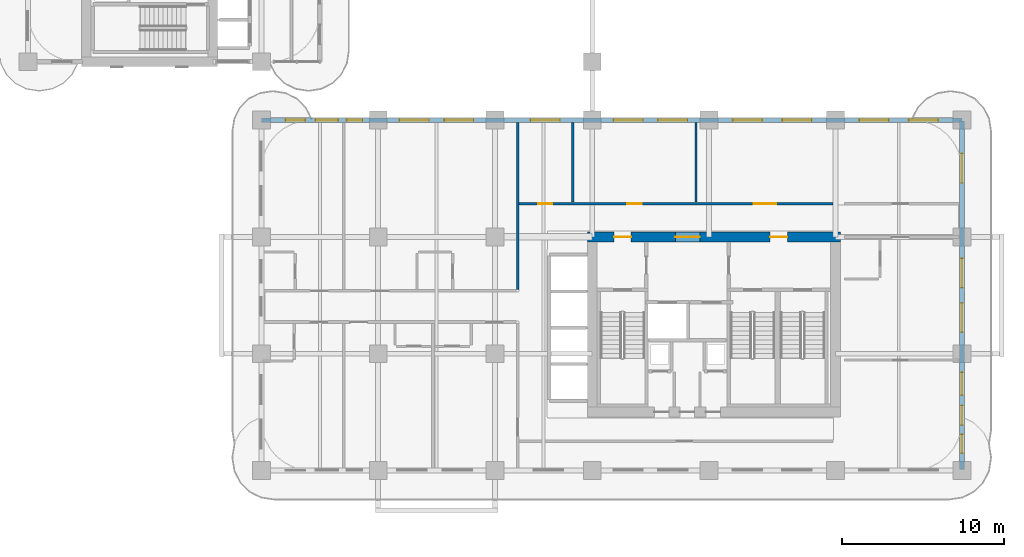
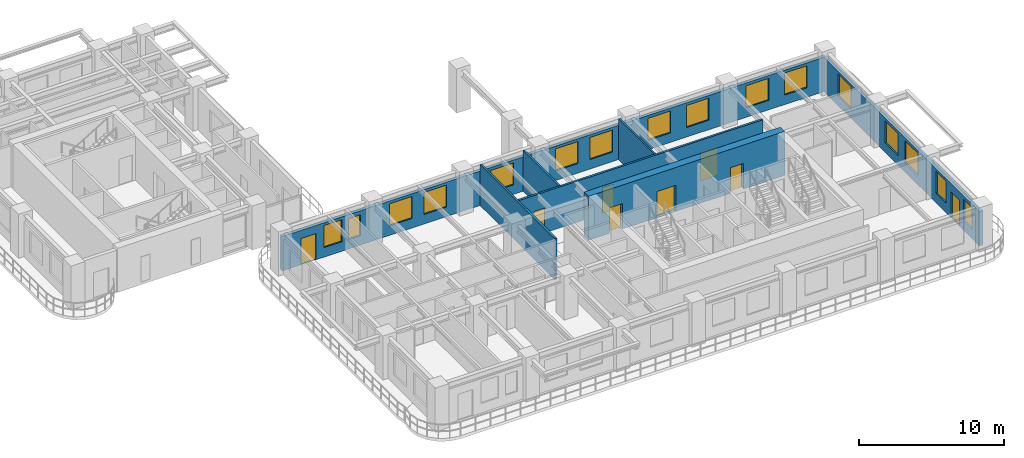
# One storey, part 9 of 18: 16 windows, 8 doors, 7 walls, 24 openings.
"""IFC4 building model written with IfcOpenShell, lengths in metres."""

from ifc_helpers import new_model, si_unit, derived_unit, direction, frame, frame_2d, origin, place, context, subcontext, project, spatial, rectangle, extrude, source, transform, mapped, material, layer, layer_set, type_object, type_shapes, element, fill, save


model = new_model("IFC4")

# Units and contexts
model_context = context("Model", 3, precision=1e-05, world=origin(), true_north=direction((0.0, 1.0)))
body_context = subcontext(model_context, "Body", "Model", "MODEL_VIEW")
ifc_project = project(units=[si_unit("LENGTHUNIT", "METRE"), si_unit("AREAUNIT", "SQUARE_METRE"), si_unit("VOLUMEUNIT", "CUBIC_METRE"), si_unit("PLANEANGLEUNIT", "RADIAN"), si_unit("MASSUNIT", "GRAM", prefix="KILO"), si_unit("THERMODYNAMICTEMPERATUREUNIT", "KELVIN"), si_unit("POWERUNIT", "WATT"), derived_unit("THERMALTRANSMITTANCEUNIT", [(si_unit("POWERUNIT", "WATT"), 1), (si_unit("AREAUNIT", "SQUARE_METRE"), -1), (si_unit("THERMODYNAMICTEMPERATUREUNIT", "KELVIN"), -1)])], contexts=[model_context])

# Site, building, storey
site_placement = place(None, origin())
site = spatial("IfcSite", under=ifc_project, at=site_placement, CompositionType="ELEMENT")
building_placement = place(site_placement, origin())
building = spatial("IfcBuilding", under=site, at=building_placement, Name="Zahravan Archway Hotel and Residences", CompositionType="ELEMENT")
storey_placement = place(building_placement, frame((0.0, 0.0, 36.10009765625)))
storey = spatial("IfcBuildingStorey", under=building, at=storey_placement, Name="L07", CompositionType="ELEMENT", Elevation=36.10009765625)

# Wall, openings, doors
ifc_material_1 = material(Name="Concrete C70/85", Category="concrete")
ifc_layer_1 = layer(ifc_material_1, 0.60009765625, Name="Concrete C70/85", Category="concrete")
ifc_layer_set_1 = layer_set([ifc_layer_1], Name="Concrete C70/85")
wall_type_1 = type_object("IfcWallType", Name="CW-CORE-600", PredefinedType="SHEAR", material=ifc_layer_set_1)
wall_1_placement = place(storey_placement, frame((34.5, 14.39990234375, 0.0), z_axis=(0.0, 0.0, 1.0), x_axis=(1.0, 0.0, 0.0)))
wall_1 = element("IfcWall", 1, at=wall_1_placement, inside=storey, type_object=wall_type_1, Name="L07 Core A Shear N Wall 600 mm", PredefinedType="SHEAR", context=body_context, shape_type="SweptSolid", body=[
    extrude(rectangle(XDim=15.60009765625, YDim=0.60009765625, at=frame_2d((7.800048828125, 0.0))), origin(), (0.0, 0.0, 1.0), 3.699951171875),
])
opening_1_placement = place(wall_1_placement, frame((5.429931640625, 0.0, 0.0)))
opening_1 = element("IfcOpeningElement", 2, at=opening_1_placement, cuts=wall_1, Name="Opening FD-L1", PredefinedType="OPENING", context=body_context, shape_type="SweptSolid", body=[
    extrude(rectangle(XDim=1.5, YDim=2.199951171875, at=frame_2d((0.75, 1.10009765625))), frame((0.0, 0.31005859375, 0.0), z_axis=(0.0, -1.0, 0.0), x_axis=(1.0, 0.0, 0.0)), (0.0, 0.0, 1.0), 0.6201171875),
])
opening_2_placement = place(wall_1_placement, frame((1.64501953125, 0.0, 0.0)))
opening_2 = element("IfcOpeningElement", 3, at=opening_2_placement, cuts=wall_1, Name="Opening FD-L2", PredefinedType="OPENING", context=body_context, shape_type="SweptSolid", body=[
    extrude(rectangle(XDim=1.050048828125, YDim=2.14990234375, at=frame_2d((0.52490234375, 1.074951171875))), frame((0.0, 0.31005859375, 0.0), z_axis=(0.0, -1.0, 0.0), x_axis=(1.0, 0.0, 0.0)), (0.0, 0.0, 1.0), 0.6201171875),
])
opening_3_placement = place(wall_1_placement, frame((11.27490234375, 0.0, 0.0)))
opening_3 = element("IfcOpeningElement", 4, at=opening_3_placement, cuts=wall_1, Name="Opening FD-L2", PredefinedType="OPENING", context=body_context, shape_type="SweptSolid", body=[
    extrude(rectangle(XDim=1.050048828125, YDim=2.14990234375, at=frame_2d((0.52490234375, 1.074951171875))), frame((0.0, 0.31005859375, 0.0), z_axis=(0.0, -1.0, 0.0), x_axis=(1.0, 0.0, 0.0)), (0.0, 0.0, 1.0), 0.6201171875),
])
ifc_material_2 = material(Name="Fire-Rated Painted Steel", Category="steel")
door_type_1 = type_object("IfcDoorType", Name="FD-LOBBY-1100", OperationType="NOTDEFINED", PredefinedType="DOOR", material=ifc_material_2)
shared_shape_1 = source(origin(), body_context, "Body", "SweptSolid", [
    extrude(rectangle(XDim=1.050048828125, YDim=2.14990234375, at=frame_2d((0.52490234375, 1.074951171875))), frame((0.0, 0.02490234375, 0.0), z_axis=(0.0, -1.0, 0.0), x_axis=(1.0, 0.0, 0.0)), (0.0, 0.0, 1.0), 0.050048828125),
])
type_shapes(door_type_1, [shared_shape_1])
door_1_placement = place(opening_2_placement, origin())
door_1 = element("IfcDoor", 5, at=door_1_placement, inside=storey, type_object=door_type_1, Name="L07 Core A West Stair Lobby Door", OperationType="SINGLE_SWING_LEFT", OverallHeight=2.14990234375, OverallWidth=1.050048828125, PredefinedType="DOOR", context=body_context, shape_type="MappedRepresentation", body=[
    mapped(shared_shape_1, transform((0.0, 0.0, 0.0), scale=1.0)),
])
fill(opening_2, door_1)
door_2_placement = place(opening_3_placement, origin())
door_2 = element("IfcDoor", 6, at=door_2_placement, inside=storey, type_object=door_type_1, Name="L07 Core A East Stair Lobby Door", OperationType="SINGLE_SWING_RIGHT", OverallHeight=2.14990234375, OverallWidth=1.050048828125, PredefinedType="DOOR", context=body_context, shape_type="MappedRepresentation", body=[
    mapped(shared_shape_1, transform((0.0, 0.0, 0.0), scale=1.0)),
])
fill(opening_3, door_2)
door_type_2 = type_object("IfcDoorType", Name="FD-LOBBY-1500", OperationType="DOUBLE_DOOR_SINGLE_SWING", PredefinedType="DOOR", material=ifc_material_2)
shared_shape_2 = source(origin(), body_context, "Body", "SweptSolid", [
    extrude(rectangle(XDim=1.5, YDim=2.199951171875, at=frame_2d((0.75, 1.10009765625))), frame((0.0, 0.02490234375, 0.0), z_axis=(0.0, -1.0, 0.0), x_axis=(1.0, 0.0, 0.0)), (0.0, 0.0, 1.0), 0.050048828125),
])
type_shapes(door_type_2, [shared_shape_2])
door_3_placement = place(opening_1_placement, origin())
door_3 = element("IfcDoor", 7, at=door_3_placement, inside=storey, type_object=door_type_2, Name="L07 Core A FSAE Lobby Main Door", OperationType="DOUBLE_DOOR_SINGLE_SWING", OverallHeight=2.199951171875, OverallWidth=1.5, PredefinedType="DOOR", context=body_context, shape_type="MappedRepresentation", body=[
    mapped(shared_shape_2, transform((0.0, 0.0, 0.0), scale=1.0)),
])
fill(opening_1, door_3)

# Wall, openings, door, windows
ifc_material_3 = material(Name="Honed Red-Ochre Sandstone & Insulated Block", Category="masonry")
ifc_layer_2 = layer(ifc_material_3, 0.280029296875, Name="Honed Red-Ochre Sandstone & Insulated Block", Category="masonry")
ifc_layer_set_2 = layer_set([ifc_layer_2], Name="Honed Red-Ochre Sandstone & Insulated Block")
wall_type_2 = type_object("IfcWallType", Name="EW-LOG-280", PredefinedType="SOLIDWALL", material=ifc_layer_set_2)
wall_2_placement = place(storey_placement, frame((57.60009765625, 0.050048828125, 0.0), z_axis=(0.0, 0.0, 1.0), x_axis=(0.0, 1.0, 0.0)))
wall_2 = element("IfcWall", 8, at=wall_2_placement, inside=storey, type_object=wall_type_2, Name="L07 Exterior Sandstone Wall WA-E", PredefinedType="SOLIDWALL", context=body_context, shape_type="SweptSolid", body=[
    extrude(rectangle(XDim=21.5, YDim=0.280029296875, at=frame_2d((10.75, 0.0))), origin(), (0.0, 0.0, 1.0), 2.885009765625),
])
opening_4_placement = place(wall_2_placement, frame((2.75, 0.0, 0.0)))
opening_4 = element("IfcOpeningElement", 9, at=opening_4_placement, cuts=wall_2, Name="Opening ED-BL1", PredefinedType="OPENING", context=body_context, shape_type="SweptSolid", body=[
    extrude(rectangle(XDim=1.199951171875, YDim=2.199951171875, at=frame_2d((0.60009765625, 1.10009765625))), frame((0.0, 0.14990234375, 0.0), z_axis=(0.0, -1.0, 0.0), x_axis=(1.0, 0.0, 0.0)), (0.0, 0.0, 1.0), 0.300048828125),
])
opening_5_placement = place(wall_2_placement, frame((1.02490234375, 0.0, 0.800048828125)))
opening_5 = element("IfcOpeningElement", 10, at=opening_5_placement, cuts=wall_2, Name="Opening W-05", PredefinedType="OPENING", context=body_context, shape_type="SweptSolid", body=[
    extrude(rectangle(XDim=1.14990234375, YDim=1.800048828125, at=frame_2d((0.574951171875, 0.89990234375))), frame((0.0, 0.14990234375, 0.0), z_axis=(0.0, -1.0, 0.0), x_axis=(1.0, 0.0, 0.0)), (0.0, 0.0, 1.0), 0.300048828125),
])
opening_6_placement = place(wall_2_placement, frame((4.60009765625, 0.0, 0.800048828125)))
opening_6 = element("IfcOpeningElement", 11, at=opening_6_placement, cuts=wall_2, Name="Opening W-03", PredefinedType="OPENING", context=body_context, shape_type="SweptSolid", body=[
    extrude(rectangle(XDim=1.39990234375, YDim=1.85009765625, at=frame_2d((0.699951171875, 0.925048828125))), frame((0.0, 0.14990234375, 0.0), z_axis=(0.0, -1.0, 0.0), x_axis=(1.0, 0.0, 0.0)), (0.0, 0.0, 1.0), 0.300048828125),
])
opening_7_placement = place(wall_2_placement, frame((8.47509765625, 0.0, 0.800048828125)))
opening_7 = element("IfcOpeningElement", 12, at=opening_7_placement, cuts=wall_2, Name="Opening W-02", PredefinedType="OPENING", context=body_context, shape_type="SweptSolid", body=[
    extrude(rectangle(XDim=1.800048828125, YDim=1.85009765625, at=frame_2d((0.89990234375, 0.925048828125))), frame((0.0, 0.14990234375, 0.0), z_axis=(0.0, -1.0, 0.0), x_axis=(1.0, 0.0, 0.0)), (0.0, 0.0, 1.0), 0.300048828125),
])
opening_8_placement = place(wall_2_placement, frame((11.22509765625, 0.0, 0.800048828125)))
opening_8 = element("IfcOpeningElement", 13, at=opening_8_placement, cuts=wall_2, Name="Opening W-02", PredefinedType="OPENING", context=body_context, shape_type="SweptSolid", body=[
    extrude(rectangle(XDim=1.800048828125, YDim=1.85009765625, at=frame_2d((0.89990234375, 0.925048828125))), frame((0.0, 0.14990234375, 0.0), z_axis=(0.0, -1.0, 0.0), x_axis=(1.0, 0.0, 0.0)), (0.0, 0.0, 1.0), 0.300048828125),
])
opening_9_placement = place(wall_2_placement, frame((17.678955078125, 0.0, 0.800048828125)))
opening_9 = element("IfcOpeningElement", 14, at=opening_9_placement, cuts=wall_2, Name="Opening W-02", PredefinedType="OPENING", context=body_context, shape_type="SweptSolid", body=[
    extrude(rectangle(XDim=1.800048828125, YDim=1.85009765625, at=frame_2d((0.89990234375, 0.925048828125))), frame((0.0, 0.14990234375, 0.0), z_axis=(0.0, -1.0, 0.0), x_axis=(1.0, 0.0, 0.0)), (0.0, 0.0, 1.0), 0.300048828125),
])
ifc_material_4 = material(Name="Bronze-Anodized Glazed Aluminium", Category="aluminium")
door_type_3 = type_object("IfcDoorType", Name="ED-BALC-1200", OperationType="SLIDING_TO_LEFT", PredefinedType="DOOR", material=ifc_material_4)
shared_shape_3 = source(origin(), body_context, "Body", "SweptSolid", [
    extrude(rectangle(XDim=1.199951171875, YDim=2.199951171875, at=frame_2d((0.60009765625, 1.10009765625))), frame((0.0, 0.02490234375, 0.0), z_axis=(0.0, -1.0, 0.0), x_axis=(1.0, 0.0, 0.0)), (0.0, 0.0, 1.0), 0.050048828125),
])
type_shapes(door_type_3, [shared_shape_3])
door_4_placement = place(opening_4_placement, origin())
door_4 = element("IfcDoor", 15, at=door_4_placement, inside=storey, type_object=door_type_3, Name="L07 Outdoor Access Sliding Door (SLB-BAL-L07-EA)", OperationType="SLIDING_TO_LEFT", OverallHeight=2.199951171875, OverallWidth=1.199951171875, PredefinedType="DOOR", context=body_context, shape_type="MappedRepresentation", body=[
    mapped(shared_shape_3, transform((0.0, 0.0, 0.0), scale=1.0)),
])
fill(opening_4, door_4)
ifc_material_5 = material(Name="Bronze-Anodized Thermal-Break Aluminium & Low-E Glass", Category="aluminium")
window_type_1 = type_object("IfcWindowType", Name="WIN-TWR-1400", PartitioningType="SINGLE_PANEL", PredefinedType="WINDOW", material=ifc_material_5)
shared_shape_4 = source(origin(), body_context, "Body", "SweptSolid", [
    extrude(rectangle(XDim=1.39990234375, YDim=1.85009765625, at=frame_2d((0.699951171875, 0.925048828125))), frame((0.0, 0.030029296875, 0.0), z_axis=(0.0, -1.0, 0.0), x_axis=(1.0, 0.0, 0.0)), (0.0, 0.0, 1.0), 0.06005859375),
])
type_shapes(window_type_1, [shared_shape_4])
window_1_placement = place(opening_6_placement, origin())
window_1 = element("IfcWindow", 16, at=window_1_placement, inside=storey, type_object=window_type_1, Name="L07 Loggia Window 13", OverallHeight=1.85009765625, OverallWidth=1.39990234375, PartitioningType="SINGLE_PANEL", PredefinedType="WINDOW", context=body_context, shape_type="MappedRepresentation", body=[
    mapped(shared_shape_4, transform((0.0, 0.0, 0.0), scale=1.0)),
])
fill(opening_6, window_1)
window_type_2 = type_object("IfcWindowType", Name="WIN-TWR-1800", PartitioningType="DOUBLE_PANEL_VERTICAL", PredefinedType="WINDOW", material=ifc_material_5)
shared_shape_5 = source(origin(), body_context, "Body", "SweptSolid", [
    extrude(rectangle(XDim=1.800048828125, YDim=1.85009765625, at=frame_2d((0.89990234375, 0.925048828125))), frame((0.0, 0.030029296875, 0.0), z_axis=(0.0, -1.0, 0.0), x_axis=(1.0, 0.0, 0.0)), (0.0, 0.0, 1.0), 0.06005859375),
])
type_shapes(window_type_2, [shared_shape_5])
window_2_placement = place(opening_7_placement, origin())
window_2 = element("IfcWindow", 17, at=window_2_placement, inside=storey, type_object=window_type_2, Name="L07 Loggia Window 14", OverallHeight=1.85009765625, OverallWidth=1.800048828125, PartitioningType="DOUBLE_PANEL_VERTICAL", PredefinedType="WINDOW", context=body_context, shape_type="MappedRepresentation", body=[
    mapped(shared_shape_5, transform((0.0, 0.0, 0.0), scale=1.0)),
])
fill(opening_7, window_2)
window_3_placement = place(opening_8_placement, origin())
window_3 = element("IfcWindow", 18, at=window_3_placement, inside=storey, type_object=window_type_2, Name="L07 Loggia Window 15", OverallHeight=1.85009765625, OverallWidth=1.800048828125, PartitioningType="DOUBLE_PANEL_VERTICAL", PredefinedType="WINDOW", context=body_context, shape_type="MappedRepresentation", body=[
    mapped(shared_shape_5, transform((0.0, 0.0, 0.0), scale=1.0)),
])
fill(opening_8, window_3)
window_4_placement = place(opening_9_placement, origin())
window_4 = element("IfcWindow", 19, at=window_4_placement, inside=storey, type_object=window_type_2, Name="L07 Loggia Window 16", OverallHeight=1.85009765625, OverallWidth=1.800048828125, PartitioningType="DOUBLE_PANEL_VERTICAL", PredefinedType="WINDOW", context=body_context, shape_type="MappedRepresentation", body=[
    mapped(shared_shape_5, transform((0.0, 0.0, 0.0), scale=1.0)),
])
fill(opening_9, window_4)
window_type_3 = type_object("IfcWindowType", Name="WIN-TWR-1150", PartitioningType="SINGLE_PANEL", PredefinedType="WINDOW", material=ifc_material_5)
shared_shape_6 = source(origin(), body_context, "Body", "SweptSolid", [
    extrude(rectangle(XDim=1.14990234375, YDim=1.800048828125, at=frame_2d((0.574951171875, 0.89990234375))), frame((0.0, 0.030029296875, 0.0), z_axis=(0.0, -1.0, 0.0), x_axis=(1.0, 0.0, 0.0)), (0.0, 0.0, 1.0), 0.06005859375),
])
type_shapes(window_type_3, [shared_shape_6])
window_5_placement = place(opening_5_placement, origin())
window_5 = element("IfcWindow", 20, at=window_5_placement, inside=storey, type_object=window_type_3, Name="L07 Loggia Window 12", OverallHeight=1.800048828125, OverallWidth=1.14990234375, PartitioningType="SINGLE_PANEL", PredefinedType="WINDOW", context=body_context, shape_type="MappedRepresentation", body=[
    mapped(shared_shape_6, transform((0.0, 0.0, 0.0), scale=1.0)),
])
fill(opening_5, window_5)

wall_3_placement = place(storey_placement, frame((14.39990234375, 21.60009765625, 0.0), z_axis=(0.0, 0.0, 1.0), x_axis=(1.0, 0.0, 0.0)))
wall_3 = element("IfcWall", 21, at=wall_3_placement, inside=storey, type_object=wall_type_2, Name="L07 Exterior Sandstone Wall WA-NE", PredefinedType="SOLIDWALL", context=body_context, shape_type="SweptSolid", body=[
    extrude(rectangle(XDim=43.2001953125, YDim=0.280029296875, at=frame_2d((21.60009765625, 0.0))), origin(), (0.0, 0.0, 1.0), 2.885009765625),
])
opening_10_placement = place(wall_3_placement, frame((1.5, 0.0, 0.0)))
opening_10 = element("IfcOpeningElement", 22, at=opening_10_placement, cuts=wall_3, Name="Opening ED-BL1", PredefinedType="OPENING", context=body_context, shape_type="SweptSolid", body=[
    extrude(rectangle(XDim=1.199951171875, YDim=2.199951171875, at=frame_2d((0.60009765625, 1.10009765625))), frame((0.0, 0.14990234375, 0.0), z_axis=(0.0, -1.0, 0.0), x_axis=(1.0, 0.0, 0.0)), (0.0, 0.0, 1.0), 0.300048828125),
])
opening_11_placement = place(wall_3_placement, frame((3.3359375, 0.0, 0.800048828125)))
opening_11 = element("IfcOpeningElement", 23, at=opening_11_placement, cuts=wall_3, Name="Opening W-03", PredefinedType="OPENING", context=body_context, shape_type="SweptSolid", body=[
    extrude(rectangle(XDim=1.39990234375, YDim=1.85009765625, at=frame_2d((0.699951171875, 0.925048828125))), frame((0.0, 0.14990234375, 0.0), z_axis=(0.0, -1.0, 0.0), x_axis=(1.0, 0.0, 0.0)), (0.0, 0.0, 1.0), 0.300048828125),
])
opening_12_placement = place(wall_3_placement, frame((5.26904296875, 0.0, 0.800048828125)))
opening_12 = element("IfcOpeningElement", 24, at=opening_12_placement, cuts=wall_3, Name="Opening W-04", PredefinedType="OPENING", context=body_context, shape_type="SweptSolid", body=[
    extrude(rectangle(XDim=0.949951171875, YDim=1.75, at=frame_2d((0.47509765625, 0.875))), frame((0.0, 0.14990234375, 0.0), z_axis=(0.0, -1.0, 0.0), x_axis=(1.0, 0.0, 0.0)), (0.0, 0.0, 1.0), 0.300048828125),
])
opening_13_placement = place(wall_3_placement, frame((8.52490234375, 0.0, 0.800048828125)))
opening_13 = element("IfcOpeningElement", 25, at=opening_13_placement, cuts=wall_3, Name="Opening W-02", PredefinedType="OPENING", context=body_context, shape_type="SweptSolid", body=[
    extrude(rectangle(XDim=1.800048828125, YDim=1.85009765625, at=frame_2d((0.89990234375, 0.925048828125))), frame((0.0, 0.14990234375, 0.0), z_axis=(0.0, -1.0, 0.0), x_axis=(1.0, 0.0, 0.0)), (0.0, 0.0, 1.0), 0.300048828125),
])
opening_14_placement = place(wall_3_placement, frame((11.27490234375, 0.0, 0.800048828125)))
opening_14 = element("IfcOpeningElement", 26, at=opening_14_placement, cuts=wall_3, Name="Opening W-02", PredefinedType="OPENING", context=body_context, shape_type="SweptSolid", body=[
    extrude(rectangle(XDim=1.800048828125, YDim=1.85009765625, at=frame_2d((0.89990234375, 0.925048828125))), frame((0.0, 0.14990234375, 0.0), z_axis=(0.0, -1.0, 0.0), x_axis=(1.0, 0.0, 0.0)), (0.0, 0.0, 1.0), 0.300048828125),
])
opening_15_placement = place(wall_3_placement, frame((16.60107421875, 0.0, 0.800048828125)))
opening_15 = element("IfcOpeningElement", 27, at=opening_15_placement, cuts=wall_3, Name="Opening W-02", PredefinedType="OPENING", context=body_context, shape_type="SweptSolid", body=[
    extrude(rectangle(XDim=1.800048828125, YDim=1.85009765625, at=frame_2d((0.89990234375, 0.925048828125))), frame((0.0, 0.14990234375, 0.0), z_axis=(0.0, -1.0, 0.0), x_axis=(1.0, 0.0, 0.0)), (0.0, 0.0, 1.0), 0.300048828125),
])
opening_16_placement = place(wall_3_placement, frame((21.722900390625, 0.0, 0.800048828125)))
opening_16 = element("IfcOpeningElement", 28, at=opening_16_placement, cuts=wall_3, Name="Opening W-02", PredefinedType="OPENING", context=body_context, shape_type="SweptSolid", body=[
    extrude(rectangle(XDim=1.800048828125, YDim=1.85009765625, at=frame_2d((0.89990234375, 0.925048828125))), frame((0.0, 0.14990234375, 0.0), z_axis=(0.0, -1.0, 0.0), x_axis=(1.0, 0.0, 0.0)), (0.0, 0.0, 1.0), 0.300048828125),
])
opening_17_placement = place(wall_3_placement, frame((24.468994140625, 0.0, 0.800048828125)))
opening_17 = element("IfcOpeningElement", 29, at=opening_17_placement, cuts=wall_3, Name="Opening W-02", PredefinedType="OPENING", context=body_context, shape_type="SweptSolid", body=[
    extrude(rectangle(XDim=1.800048828125, YDim=1.85009765625, at=frame_2d((0.89990234375, 0.925048828125))), frame((0.0, 0.14990234375, 0.0), z_axis=(0.0, -1.0, 0.0), x_axis=(1.0, 0.0, 0.0)), (0.0, 0.0, 1.0), 0.300048828125),
])
opening_18_placement = place(wall_3_placement, frame((29.074951171875, 0.0, 0.800048828125)))
opening_18 = element("IfcOpeningElement", 30, at=opening_18_placement, cuts=wall_3, Name="Opening W-02", PredefinedType="OPENING", context=body_context, shape_type="SweptSolid", body=[
    extrude(rectangle(XDim=1.800048828125, YDim=1.85009765625, at=frame_2d((0.89990234375, 0.925048828125))), frame((0.0, 0.14990234375, 0.0), z_axis=(0.0, -1.0, 0.0), x_axis=(1.0, 0.0, 0.0)), (0.0, 0.0, 1.0), 0.300048828125),
])
opening_19_placement = place(wall_3_placement, frame((32.125, 0.0, 0.800048828125)))
opening_19 = element("IfcOpeningElement", 31, at=opening_19_placement, cuts=wall_3, Name="Opening W-02", PredefinedType="OPENING", context=body_context, shape_type="SweptSolid", body=[
    extrude(rectangle(XDim=1.800048828125, YDim=1.85009765625, at=frame_2d((0.89990234375, 0.925048828125))), frame((0.0, 0.14990234375, 0.0), z_axis=(0.0, -1.0, 0.0), x_axis=(1.0, 0.0, 0.0)), (0.0, 0.0, 1.0), 0.300048828125),
])
opening_20_placement = place(wall_3_placement, frame((36.875, 0.0, 0.800048828125)))
opening_20 = element("IfcOpeningElement", 32, at=opening_20_placement, cuts=wall_3, Name="Opening W-02", PredefinedType="OPENING", context=body_context, shape_type="SweptSolid", body=[
    extrude(rectangle(XDim=1.800048828125, YDim=1.85009765625, at=frame_2d((0.89990234375, 0.925048828125))), frame((0.0, 0.14990234375, 0.0), z_axis=(0.0, -1.0, 0.0), x_axis=(1.0, 0.0, 0.0)), (0.0, 0.0, 1.0), 0.300048828125),
])
opening_21_placement = place(wall_3_placement, frame((39.925048828125, 0.0, 0.800048828125)))
opening_21 = element("IfcOpeningElement", 33, at=opening_21_placement, cuts=wall_3, Name="Opening W-02", PredefinedType="OPENING", context=body_context, shape_type="SweptSolid", body=[
    extrude(rectangle(XDim=1.800048828125, YDim=1.85009765625, at=frame_2d((0.89990234375, 0.925048828125))), frame((0.0, 0.14990234375, 0.0), z_axis=(0.0, -1.0, 0.0), x_axis=(1.0, 0.0, 0.0)), (0.0, 0.0, 1.0), 0.300048828125),
])
door_5_placement = place(opening_10_placement, origin())
door_5 = element("IfcDoor", 34, at=door_5_placement, inside=storey, type_object=door_type_3, Name="L07 Outdoor Access Sliding Door (SLB-BAL-L07-WA)", OperationType="SLIDING_TO_LEFT", OverallHeight=2.199951171875, OverallWidth=1.199951171875, PredefinedType="DOOR", context=body_context, shape_type="MappedRepresentation", body=[
    mapped(shared_shape_3, transform((0.0, 0.0, 0.0), scale=1.0)),
])
fill(opening_10, door_5)
window_6_placement = place(opening_11_placement, origin())
window_6 = element("IfcWindow", 35, at=window_6_placement, inside=storey, type_object=window_type_1, Name="L07 Loggia Window 17", OverallHeight=1.85009765625, OverallWidth=1.39990234375, PartitioningType="SINGLE_PANEL", PredefinedType="WINDOW", context=body_context, shape_type="MappedRepresentation", body=[
    mapped(shared_shape_4, transform((0.0, 0.0, 0.0), scale=1.0)),
])
fill(opening_11, window_6)
window_type_4 = type_object("IfcWindowType", Name="WIN-NAR-950", PartitioningType="SINGLE_PANEL", PredefinedType="WINDOW", material=ifc_material_5)
shared_shape_7 = source(origin(), body_context, "Body", "SweptSolid", [
    extrude(rectangle(XDim=0.949951171875, YDim=1.75, at=frame_2d((0.47509765625, 0.875))), frame((0.0, 0.030029296875, 0.0), z_axis=(0.0, -1.0, 0.0), x_axis=(1.0, 0.0, 0.0)), (0.0, 0.0, 1.0), 0.06005859375),
])
type_shapes(window_type_4, [shared_shape_7])
window_7_placement = place(opening_12_placement, origin())
window_7 = element("IfcWindow", 36, at=window_7_placement, inside=storey, type_object=window_type_4, Name="L07 Loggia Window 18", OverallHeight=1.75, OverallWidth=0.949951171875, PartitioningType="SINGLE_PANEL", PredefinedType="WINDOW", context=body_context, shape_type="MappedRepresentation", body=[
    mapped(shared_shape_7, transform((0.0, 0.0, 0.0), scale=1.0)),
])
fill(opening_12, window_7)
window_8_placement = place(opening_13_placement, origin())
window_8 = element("IfcWindow", 37, at=window_8_placement, inside=storey, type_object=window_type_2, Name="L07 Loggia Window 19", OverallHeight=1.85009765625, OverallWidth=1.800048828125, PartitioningType="DOUBLE_PANEL_VERTICAL", PredefinedType="WINDOW", context=body_context, shape_type="MappedRepresentation", body=[
    mapped(shared_shape_5, transform((0.0, 0.0, 0.0), scale=1.0)),
])
fill(opening_13, window_8)
window_9_placement = place(opening_14_placement, origin())
window_9 = element("IfcWindow", 38, at=window_9_placement, inside=storey, type_object=window_type_2, Name="L07 Loggia Window 20", OverallHeight=1.85009765625, OverallWidth=1.800048828125, PartitioningType="DOUBLE_PANEL_VERTICAL", PredefinedType="WINDOW", context=body_context, shape_type="MappedRepresentation", body=[
    mapped(shared_shape_5, transform((0.0, 0.0, 0.0), scale=1.0)),
])
fill(opening_14, window_9)
window_10_placement = place(opening_15_placement, origin())
window_10 = element("IfcWindow", 39, at=window_10_placement, inside=storey, type_object=window_type_2, Name="L07 Loggia Window 21", OverallHeight=1.85009765625, OverallWidth=1.800048828125, PartitioningType="DOUBLE_PANEL_VERTICAL", PredefinedType="WINDOW", context=body_context, shape_type="MappedRepresentation", body=[
    mapped(shared_shape_5, transform((0.0, 0.0, 0.0), scale=1.0)),
])
fill(opening_15, window_10)
window_11_placement = place(opening_16_placement, origin())
window_11 = element("IfcWindow", 40, at=window_11_placement, inside=storey, type_object=window_type_2, Name="L07 Loggia Window 22", OverallHeight=1.85009765625, OverallWidth=1.800048828125, PartitioningType="DOUBLE_PANEL_VERTICAL", PredefinedType="WINDOW", context=body_context, shape_type="MappedRepresentation", body=[
    mapped(shared_shape_5, transform((0.0, 0.0, 0.0), scale=1.0)),
])
fill(opening_16, window_11)
window_12_placement = place(opening_17_placement, origin())
window_12 = element("IfcWindow", 41, at=window_12_placement, inside=storey, type_object=window_type_2, Name="L07 Loggia Window 23", OverallHeight=1.85009765625, OverallWidth=1.800048828125, PartitioningType="DOUBLE_PANEL_VERTICAL", PredefinedType="WINDOW", context=body_context, shape_type="MappedRepresentation", body=[
    mapped(shared_shape_5, transform((0.0, 0.0, 0.0), scale=1.0)),
])
fill(opening_17, window_12)
window_13_placement = place(opening_18_placement, origin())
window_13 = element("IfcWindow", 42, at=window_13_placement, inside=storey, type_object=window_type_2, Name="L07 Loggia Window 24", OverallHeight=1.85009765625, OverallWidth=1.800048828125, PartitioningType="DOUBLE_PANEL_VERTICAL", PredefinedType="WINDOW", context=body_context, shape_type="MappedRepresentation", body=[
    mapped(shared_shape_5, transform((0.0, 0.0, 0.0), scale=1.0)),
])
fill(opening_18, window_13)
window_14_placement = place(opening_19_placement, origin())
window_14 = element("IfcWindow", 43, at=window_14_placement, inside=storey, type_object=window_type_2, Name="L07 Loggia Window 25", OverallHeight=1.85009765625, OverallWidth=1.800048828125, PartitioningType="DOUBLE_PANEL_VERTICAL", PredefinedType="WINDOW", context=body_context, shape_type="MappedRepresentation", body=[
    mapped(shared_shape_5, transform((0.0, 0.0, 0.0), scale=1.0)),
])
fill(opening_19, window_14)
window_15_placement = place(opening_20_placement, origin())
window_15 = element("IfcWindow", 44, at=window_15_placement, inside=storey, type_object=window_type_2, Name="L07 Loggia Window 26", OverallHeight=1.85009765625, OverallWidth=1.800048828125, PartitioningType="DOUBLE_PANEL_VERTICAL", PredefinedType="WINDOW", context=body_context, shape_type="MappedRepresentation", body=[
    mapped(shared_shape_5, transform((0.0, 0.0, 0.0), scale=1.0)),
])
fill(opening_20, window_15)
window_16_placement = place(opening_21_placement, origin())
window_16 = element("IfcWindow", 45, at=window_16_placement, inside=storey, type_object=window_type_2, Name="L07 Loggia Window 27", OverallHeight=1.85009765625, OverallWidth=1.800048828125, PartitioningType="DOUBLE_PANEL_VERTICAL", PredefinedType="WINDOW", context=body_context, shape_type="MappedRepresentation", body=[
    mapped(shared_shape_5, transform((0.0, 0.0, 0.0), scale=1.0)),
])
fill(opening_21, window_16)

# Wall
ifc_material_6 = material(Name="Fire-Rated Gypsum & Concrete Block", Category="concrete")
ifc_layer_3 = layer(ifc_material_6, 0.159912109375, Name="Fire-Rated Gypsum & Concrete Block", Category="concrete")
ifc_layer_set_3 = layer_set([ifc_layer_3], Name="Fire-Rated Gypsum & Concrete Block")
wall_type_3 = type_object("IfcWallType", Name="PW-CORR-160", PredefinedType="PARTITIONING", material=ifc_layer_set_3)
wall_4_placement = place(storey_placement, frame((30.199951171875, 11.159912109375, 0.0), z_axis=(0.0, 0.0, 1.0), x_axis=(0.0, 1.0, 0.0)))
element("IfcWall", 46, at=wall_4_placement, inside=storey, type_object=wall_type_3, Name="L07 Partition WA-FW", PredefinedType="PARTITIONING", context=body_context, shape_type="SweptSolid", body=[
    extrude(rectangle(XDim=10.300048828125, YDim=0.159912109375, at=frame_2d((5.14990234375, 0.0))), origin(), (0.0, 0.0, 1.0), 3.449951171875),
])

# Wall, openings, doors
wall_5_placement = place(storey_placement, frame((30.2900390625, 16.449951171875, 0.0), z_axis=(0.0, 0.0, 1.0), x_axis=(1.0, 0.0, 0.0)))
wall_5 = element("IfcWall", 47, at=wall_5_placement, inside=storey, type_object=wall_type_3, Name="L07 Partition WA-FN", PredefinedType="PARTITIONING", context=body_context, shape_type="SweptSolid", body=[
    extrude(rectangle(XDim=19.369873046875, YDim=0.159912109375, at=frame_2d((9.68505859375, 0.0))), origin(), (0.0, 0.0, 1.0), 3.449951171875),
])
opening_22_placement = place(wall_5_placement, frame((1.18505859375, 0.0, 0.0)))
opening_22 = element("IfcOpeningElement", 48, at=opening_22_placement, cuts=wall_5, Name="Opening D-B1", PredefinedType="OPENING", context=body_context, shape_type="SweptSolid", body=[
    extrude(rectangle(XDim=0.85009765625, YDim=2.10009765625, at=frame_2d((0.425048828125, 1.050048828125))), frame((0.0, 0.08984375, 0.0), z_axis=(0.0, -1.0, 0.0), x_axis=(1.0, 0.0, 0.0)), (0.0, 0.0, 1.0), 0.179931640625),
])
opening_23_placement = place(wall_5_placement, frame((6.659912109375, 0.0, 0.0)))
opening_23 = element("IfcOpeningElement", 49, at=opening_23_placement, cuts=wall_5, Name="Opening D-I2", PredefinedType="OPENING", context=body_context, shape_type="SweptSolid", body=[
    extrude(rectangle(XDim=0.89990234375, YDim=2.14990234375, at=frame_2d((0.449951171875, 1.074951171875))), frame((0.0, 0.08984375, 0.0), z_axis=(0.0, -1.0, 0.0), x_axis=(1.0, 0.0, 0.0)), (0.0, 0.0, 1.0), 0.179931640625),
])
opening_24_placement = place(wall_5_placement, frame((14.4599609375, 0.0, 0.0)))
opening_24 = element("IfcOpeningElement", 50, at=opening_24_placement, cuts=wall_5, Name="Opening D-P1", PredefinedType="OPENING", context=body_context, shape_type="SweptSolid", body=[
    extrude(rectangle(XDim=1.39990234375, YDim=2.35009765625, at=frame_2d((0.699951171875, 1.175048828125))), frame((0.0, 0.08984375, 0.0), z_axis=(0.0, -1.0, 0.0), x_axis=(1.0, 0.0, 0.0)), (0.0, 0.0, 1.0), 0.179931640625),
])
ifc_material_7 = material(Name="Hardwood Veneer Timber", Category="wood")
door_type_4 = type_object("IfcDoorType", Name="ID-BATH-850", OperationType="NOTDEFINED", PredefinedType="DOOR", material=ifc_material_7)
shared_shape_8 = source(origin(), body_context, "Body", "SweptSolid", [
    extrude(rectangle(XDim=0.85009765625, YDim=2.10009765625, at=frame_2d((0.425048828125, 1.050048828125))), frame((0.0, 0.02490234375, 0.0), z_axis=(0.0, -1.0, 0.0), x_axis=(1.0, 0.0, 0.0)), (0.0, 0.0, 1.0), 0.050048828125),
])
type_shapes(door_type_4, [shared_shape_8])
door_6_placement = place(opening_22_placement, origin())
door_6 = element("IfcDoor", 51, at=door_6_placement, inside=storey, type_object=door_type_4, Name="L07 Accessible Floor Restroom Door", OperationType="SINGLE_SWING_LEFT", OverallHeight=2.10009765625, OverallWidth=0.85009765625, PredefinedType="DOOR", context=body_context, shape_type="MappedRepresentation", body=[
    mapped(shared_shape_8, transform((0.0, 0.0, 0.0), scale=1.0)),
])
fill(opening_22, door_6)
door_type_5 = type_object("IfcDoorType", Name="ID-PUBLIC-1400", OperationType="DOUBLE_DOOR_SINGLE_SWING", PredefinedType="DOOR", material=ifc_material_4)
shared_shape_9 = source(origin(), body_context, "Body", "SweptSolid", [
    extrude(rectangle(XDim=1.39990234375, YDim=2.35009765625, at=frame_2d((0.699951171875, 1.175048828125))), frame((0.0, 0.02490234375, 0.0), z_axis=(0.0, -1.0, 0.0), x_axis=(1.0, 0.0, 0.0)), (0.0, 0.0, 1.0), 0.050048828125),
])
type_shapes(door_type_5, [shared_shape_9])
door_7_placement = place(opening_24_placement, origin())
door_7 = element("IfcDoor", 52, at=door_7_placement, inside=storey, type_object=door_type_5, Name="L07 Co-Working Room Door", OperationType="DOUBLE_DOOR_SINGLE_SWING", OverallHeight=2.35009765625, OverallWidth=1.39990234375, PredefinedType="DOOR", context=body_context, shape_type="MappedRepresentation", body=[
    mapped(shared_shape_9, transform((0.0, 0.0, 0.0), scale=1.0)),
])
fill(opening_24, door_7)
door_type_6 = type_object("IfcDoorType", Name="ID-INT-900", OperationType="NOTDEFINED", PredefinedType="DOOR", material=ifc_material_7)
shared_shape_10 = source(origin(), body_context, "Body", "SweptSolid", [
    extrude(rectangle(XDim=0.89990234375, YDim=2.14990234375, at=frame_2d((0.449951171875, 1.074951171875))), frame((0.0, 0.02490234375, 0.0), z_axis=(0.0, -1.0, 0.0), x_axis=(1.0, 0.0, 0.0)), (0.0, 0.0, 1.0), 0.050048828125),
])
type_shapes(door_type_6, [shared_shape_10])
door_8_placement = place(opening_23_placement, origin())
door_8 = element("IfcDoor", 53, at=door_8_placement, inside=storey, type_object=door_type_6, Name="L07 Tea Servery Door", OperationType="SINGLE_SWING_RIGHT", OverallHeight=2.14990234375, OverallWidth=0.89990234375, PredefinedType="DOOR", context=body_context, shape_type="MappedRepresentation", body=[
    mapped(shared_shape_10, transform((0.0, 0.0, 0.0), scale=1.0)),
])
fill(opening_23, door_8)

# Walls
ifc_material_8 = material(Name="Moisture-Resistant Blockwork", Category="masonry")
ifc_layer_4 = layer(ifc_material_8, 0.139892578125, Name="Moisture-Resistant Blockwork", Category="masonry")
ifc_layer_set_4 = layer_set([ifc_layer_4], Name="Moisture-Resistant Blockwork")
wall_type_4 = type_object("IfcWallType", Name="PW-WET-140", PredefinedType="PARTITIONING", material=ifc_layer_set_4)
for number, where, z_axis, x_axis, name in (
    (54, (33.60009765625, 16.5400390625, 0.0), (0.0, 0.0, 1.0), (0.0, 1.0, 0.0), "L07 Partition NE0-1"),
    (55, (41.199951171875, 16.5400390625, 0.0), (0.0, 0.0, 1.0), (0.0, 1.0, 0.0), "L07 Partition NE0-2"),
):
    element("IfcWall", number, at=place(storey_placement, frame(where, z_axis=z_axis, x_axis=x_axis)), inside=storey, type_object=wall_type_4, Name=name, PredefinedType="PARTITIONING", context=body_context, shape_type="SweptSolid", body=[
        extrude(rectangle(XDim=4.911865234375, YDim=0.139892578125, at=frame_2d((2.4560546875, 0.0))), origin(), (0.0, 0.0, 1.0), 3.449951171875),
    ])

save(model, "model.ifc")
